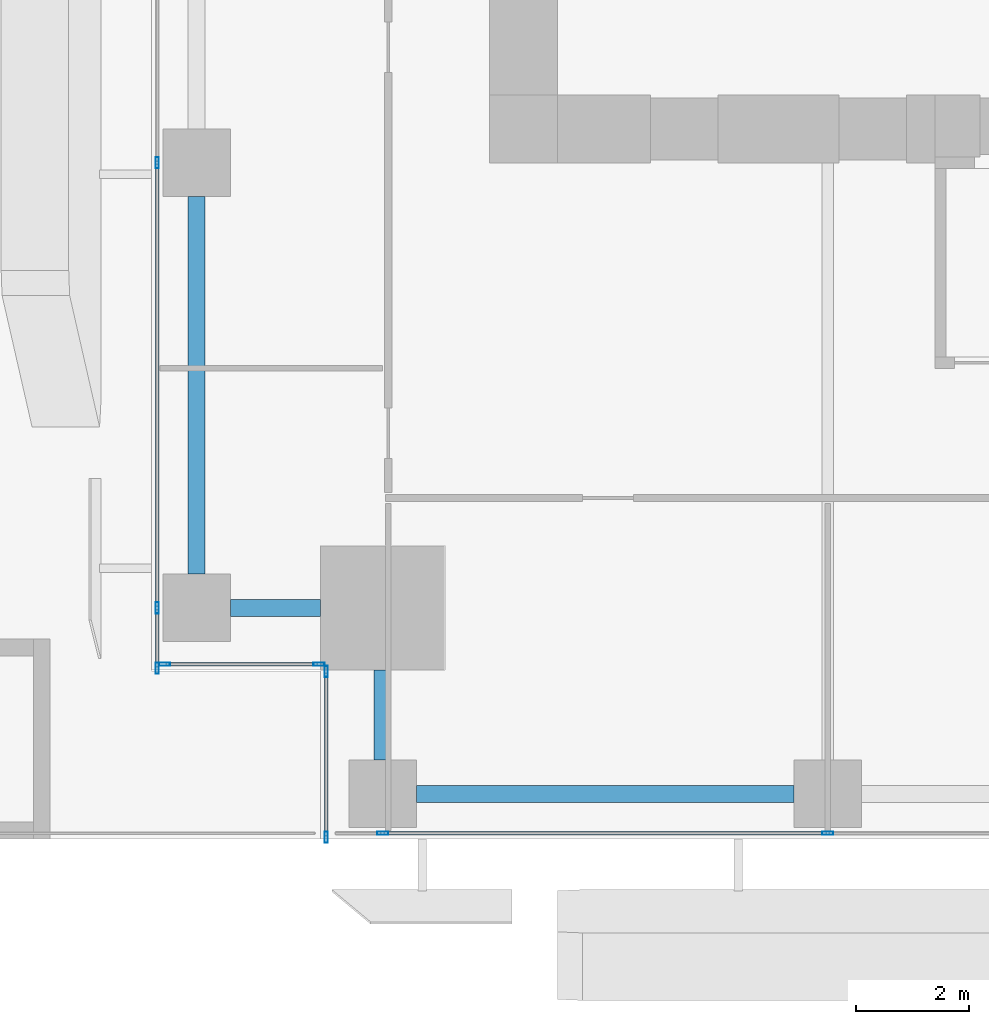
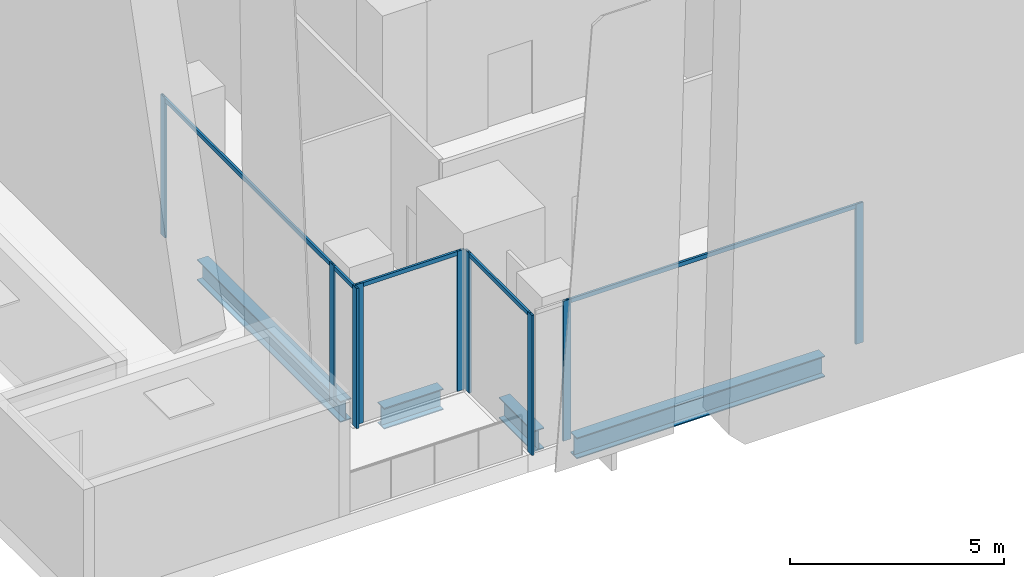
# One storey, part 2 of 46: 14 members, 4 beams, 4 elements without a shape of their own.
"""IFC4 building model written with IfcOpenShell, lengths in metres."""

from ifc_helpers import new_model, si_unit, direction, frame, origin, origin_2d, place, context, subcontext, project, spatial, hollow_rectangle, i_section, extrude, source, transform, mapped, material, material_profile, profile_set, type_object, element, aggregate, save


model = new_model("IFC4")

# Units and contexts
model_context = context("Model", 3, precision=1e-05, world=origin(), true_north=direction((0.0, 1.0)))
body_context = subcontext(model_context, "Body", "Model", "MODEL_VIEW")
ifc_project = project(units=[si_unit("LENGTHUNIT", "METRE"), si_unit("AREAUNIT", "SQUARE_METRE"), si_unit("VOLUMEUNIT", "CUBIC_METRE"), si_unit("PLANEANGLEUNIT", "RADIAN"), si_unit("MASSUNIT", "GRAM", prefix="KILO")], contexts=[model_context])

# Site, building, storey
site_placement = place(None, origin())
site = spatial("IfcSite", under=ifc_project, at=site_placement, CompositionType="ELEMENT")
building_placement = place(site_placement, origin())
building = spatial("IfcBuilding", under=site, at=building_placement, Name="Khomas Fold Tower", CompositionType="ELEMENT")
storey_placement = place(building_placement, frame((0.0, 0.0, 33.0)))
storey = spatial("IfcBuildingStorey", under=building, at=storey_placement, Name="L06", CompositionType="ELEMENT", Elevation=33.0)

# Beams
ifc_material_1 = material(Name="Steel S355", Category="steel")
ifc_material_profile_1 = material_profile(ifc_material_1, i_section(OverallWidth=0.300048828125, OverallDepth=0.60009765625, WebThickness=0.015380859375, FlangeThickness=0.030029296875, at=origin_2d()), Name="HE 600 B")
ifc_profile_set_1 = profile_set([ifc_material_profile_1], Name="Steel S355")
beam_type = type_object("IfcBeamType", Name="HE 600 B spandrel SB1", PredefinedType="SPANDREL", material=ifc_profile_set_1)
shared_shape_1 = source(origin(), body_context, "Body", "SweptSolid", [
    extrude(i_section(OverallWidth=0.300048828125, OverallDepth=0.60009765625, WebThickness=0.015380859375, FlangeThickness=0.030029296875, at=origin_2d()), origin(), (0.0, 0.0, 1.0), 6.699951171875),
])
for number, where, z_axis, x_axis, name in (
    (1, (4.699951171875, 0.800048828125, -0.800048828125), (1.0, 0.0, 0.0), (0.0, 1.0, 0.0), "SB1"),
    (2, (0.800048828125, 4.699951171875, -0.800048828125), (0.0, 1.0, 0.0), (-1.0, 0.0, 0.0), "SB1"),
):
    element("IfcBeam", number, at=place(storey_placement, frame(where, z_axis=z_axis, x_axis=x_axis)), inside=storey, type_object=beam_type, Name=name, PredefinedType="SPANDREL", context=body_context, shape_type="MappedRepresentation", body=[
        mapped(shared_shape_1, transform((0.0, 0.0, 0.0))),
    ])
shared_shape_2 = source(origin(), body_context, "Body", "SweptSolid", [
    extrude(i_section(OverallWidth=0.300048828125, OverallDepth=0.60009765625, WebThickness=0.015380859375, FlangeThickness=0.030029296875, at=origin_2d()), origin(), (0.0, 0.0, 1.0), 1.60009765625),
])
for number, where, z_axis, x_axis, name in (
    (3, (1.39990234375, 4.10009765625, -0.800048828125), (1.0, 0.0, 0.0), (0.0, 1.0, 0.0), "SB1"),
    (4, (4.10009765625, 1.39990234375, -0.800048828125), (0.0, 1.0, 0.0), (-1.0, 0.0, 0.0), "SB1"),
):
    element("IfcBeam", number, at=place(storey_placement, frame(where, z_axis=z_axis, x_axis=x_axis)), inside=storey, type_object=beam_type, Name=name, PredefinedType="SPANDREL", context=body_context, shape_type="MappedRepresentation", body=[
        mapped(shared_shape_2, transform((0.0, 0.0, 0.0))),
    ])

# Curtain wall, members
ifc_material_2 = material(Name="Aluminium framed double glazing", Category="aluminium")
curtain_wall_type = type_object("IfcCurtainWallType", Name="SK-Unitised clear-glass wall, growing floors CW1", PredefinedType="NOTDEFINED", material=ifc_material_2)
curtain_wall_1_placement = place(storey_placement, origin())
curtain_wall_1 = element("IfcCurtainWall", 5, at=curtain_wall_1_placement, inside=storey, type_object=curtain_wall_type, Name="CW1 run L06 00-0", PredefinedType="NOTDEFINED")
ifc_material_3 = material(Name="Aluminium", Category="aluminium")
ifc_material_profile_2 = material_profile(ifc_material_3, hollow_rectangle(XDim=0.06005859375, YDim=0.199951171875, WallThickness=0.00390625, at=origin_2d()), Name="SK-Unitised clear-glass wall, growing floors mullion CW1-M")
ifc_profile_set_2 = profile_set([ifc_material_profile_2], Name="Aluminium")
member_type_1 = type_object("IfcMemberType", Name="SK-Unitised clear-glass wall, growing floors mullion CW1-M", PredefinedType="MULLION", material=ifc_profile_set_2)
shared_shape_3 = source(origin(), body_context, "Body", "SweptSolid", [
    extrude(hollow_rectangle(XDim=0.06005859375, YDim=0.199951171875, WallThickness=0.00390625, at=origin_2d()), origin(), (0.0, 0.0, 1.0), 4.0),
])
member_1_placement = place(storey_placement, frame((4.10009765625, 0.10009765625, 0.0), z_axis=(0.0, 0.0, 1.0), x_axis=(0.0, 1.0, 0.0)))
member_1 = element("IfcMember", 6, at=member_1_placement, type_object=member_type_1, Name="CW1 mullion 2", PredefinedType="MULLION", context=body_context, shape_type="MappedRepresentation", body=[
    mapped(shared_shape_3, transform((0.0, 0.0, 0.0))),
])
member_2_placement = place(storey_placement, frame((12.0, 0.10009765625, 0.0), z_axis=(0.0, 0.0, 1.0), x_axis=(0.0, 1.0, 0.0)))
member_2 = element("IfcMember", 7, at=member_2_placement, type_object=member_type_1, Name="CW1 mullion 3", PredefinedType="MULLION", context=body_context, shape_type="MappedRepresentation", body=[
    mapped(shared_shape_3, transform((0.0, 0.0, 0.0))),
])

curtain_wall_2_placement = place(storey_placement, origin())
curtain_wall_2 = element("IfcCurtainWall", 8, at=curtain_wall_2_placement, inside=storey, type_object=curtain_wall_type, Name="CW1 run L06 09-0", PredefinedType="NOTDEFINED")
member_3_placement = place(storey_placement, frame((0.10009765625, 12.0, 0.0), z_axis=(0.0, 0.0, 1.0), x_axis=(1.0, 0.0, 0.0)))
member_3 = element("IfcMember", 9, at=member_3_placement, type_object=member_type_1, Name="CW1 mullion 7", PredefinedType="MULLION", context=body_context, shape_type="MappedRepresentation", body=[
    mapped(shared_shape_3, transform((0.0, 0.0, 0.0))),
])
member_4_placement = place(storey_placement, frame((0.10009765625, 4.10009765625, 0.0), z_axis=(0.0, 0.0, 1.0), x_axis=(1.0, 0.0, 0.0)))
member_4 = element("IfcMember", 10, at=member_4_placement, type_object=member_type_1, Name="CW1 mullion 8", PredefinedType="MULLION", context=body_context, shape_type="MappedRepresentation", body=[
    mapped(shared_shape_3, transform((0.0, 0.0, 0.0))),
])
member_5_placement = place(storey_placement, frame((0.10009765625, 3.030029296875, 0.0), z_axis=(0.0, 0.0, 1.0), x_axis=(1.0, 0.0, 0.0)))
member_5 = element("IfcMember", 11, at=member_5_placement, type_object=member_type_1, Name="CW1 mullion 9", PredefinedType="MULLION", context=body_context, shape_type="MappedRepresentation", body=[
    mapped(shared_shape_3, transform((0.0, 0.0, 0.0))),
])

curtain_wall_3_placement = place(storey_placement, origin())
curtain_wall_3 = element("IfcCurtainWall", 12, at=curtain_wall_3_placement, inside=storey, type_object=curtain_wall_type, Name="CW1 corner return L06 10", PredefinedType="NOTDEFINED")
member_6_placement = place(storey_placement, frame((0.22998046875, 3.10009765625, 0.0), z_axis=(0.0, 0.0, 1.0), x_axis=(0.0, 1.0, 0.0)))
member_6 = element("IfcMember", 13, at=member_6_placement, type_object=member_type_1, Name="CW1 mullion 1", PredefinedType="MULLION", context=body_context, shape_type="MappedRepresentation", body=[
    mapped(shared_shape_3, transform((0.0, 0.0, 0.0))),
])
member_7_placement = place(storey_placement, frame((2.969970703125, 3.10009765625, 0.0), z_axis=(0.0, 0.0, 1.0), x_axis=(0.0, 1.0, 0.0)))
member_7 = element("IfcMember", 14, at=member_7_placement, type_object=member_type_1, Name="CW1 mullion 2", PredefinedType="MULLION", context=body_context, shape_type="MappedRepresentation", body=[
    mapped(shared_shape_3, transform((0.0, 0.0, 0.0))),
])

curtain_wall_4_placement = place(storey_placement, origin())
curtain_wall_4 = element("IfcCurtainWall", 15, at=curtain_wall_4_placement, inside=storey, type_object=curtain_wall_type, Name="CW1 corner return L06 11", PredefinedType="NOTDEFINED")
member_8_placement = place(storey_placement, frame((3.10009765625, 2.969970703125, 0.0), z_axis=(0.0, 0.0, 1.0), x_axis=(1.0, 0.0, 0.0)))
member_8 = element("IfcMember", 16, at=member_8_placement, type_object=member_type_1, Name="CW1 mullion 1", PredefinedType="MULLION", context=body_context, shape_type="MappedRepresentation", body=[
    mapped(shared_shape_3, transform((0.0, 0.0, 0.0))),
])
member_9_placement = place(storey_placement, frame((3.10009765625, 0.030029296875, 0.0), z_axis=(0.0, 0.0, 1.0), x_axis=(1.0, 0.0, 0.0)))
member_9 = element("IfcMember", 17, at=member_9_placement, type_object=member_type_1, Name="CW1 mullion 2", PredefinedType="MULLION", context=body_context, shape_type="MappedRepresentation", body=[
    mapped(shared_shape_3, transform((0.0, 0.0, 0.0))),
])

# Member
ifc_material_4 = material(Name="Aluminium", Category="aluminium")
ifc_material_profile_3 = material_profile(ifc_material_4, hollow_rectangle(XDim=0.06005859375, YDim=0.1201171875, WallThickness=0.00390625, at=origin_2d()), Name="SK-Unitised clear-glass wall, growing floors transom CW1-T")
ifc_profile_set_3 = profile_set([ifc_material_profile_3], Name="Aluminium")
member_type_2 = type_object("IfcMemberType", Name="SK-Unitised clear-glass wall, growing floors transom CW1-T", PredefinedType="USERDEFINED", material=ifc_profile_set_3)
shared_shape_4 = source(origin(), body_context, "Body", "SweptSolid", [
    extrude(hollow_rectangle(XDim=0.06005859375, YDim=0.1201171875, WallThickness=0.00390625, at=origin_2d()), origin(), (0.0, 0.0, 1.0), 7.840087890625),
])
member_10_placement = place(storey_placement, frame((4.1298828125, 0.10009765625, 3.93994140625), z_axis=(1.0, 0.0, 0.0), x_axis=(0.0, 1.0, 0.0)))
member_10 = element("IfcMember", 18, at=member_10_placement, type_object=member_type_2, Name="CW1 transom 2", ObjectType="TRANSOM", PredefinedType="USERDEFINED", context=body_context, shape_type="MappedRepresentation", body=[
    mapped(shared_shape_4, transform((0.0, 0.0, 0.0))),
])

aggregate(curtain_wall_1, [member_1, member_2, member_10])

member_11_placement = place(storey_placement, frame((0.10009765625, 11.969970703125, 3.93994140625), z_axis=(0.0, -1.0, 0.0), x_axis=(1.0, 0.0, 0.0)))
member_11 = element("IfcMember", 19, at=member_11_placement, type_object=member_type_2, Name="CW1 transom 7", ObjectType="TRANSOM", PredefinedType="USERDEFINED", context=body_context, shape_type="MappedRepresentation", body=[
    mapped(shared_shape_4, transform((0.0, 0.0, 0.0))),
])

shared_shape_5 = source(origin(), body_context, "Body", "SweptSolid", [
    extrude(hollow_rectangle(XDim=0.06005859375, YDim=0.1201171875, WallThickness=0.00390625, at=origin_2d()), origin(), (0.0, 0.0, 1.0), 1.010009765625),
])
member_12_placement = place(storey_placement, frame((0.10009765625, 4.070068359375, 3.93994140625), z_axis=(0.0, -1.0, 0.0), x_axis=(1.0, 0.0, 0.0)))
member_12 = element("IfcMember", 20, at=member_12_placement, type_object=member_type_2, Name="CW1 transom 8", ObjectType="TRANSOM", PredefinedType="USERDEFINED", context=body_context, shape_type="MappedRepresentation", body=[
    mapped(shared_shape_5, transform((0.0, 0.0, 0.0))),
])

aggregate(curtain_wall_2, [member_3, member_4, member_5, member_11, member_12])

shared_shape_6 = source(origin(), body_context, "Body", "SweptSolid", [
    extrude(hollow_rectangle(XDim=0.06005859375, YDim=0.1201171875, WallThickness=0.00390625, at=origin_2d()), origin(), (0.0, 0.0, 1.0), 2.679931640625),
])
member_13_placement = place(storey_placement, frame((0.260009765625, 3.10009765625, 3.93994140625), z_axis=(1.0, 0.0, 0.0), x_axis=(0.0, 1.0, 0.0)))
member_13 = element("IfcMember", 21, at=member_13_placement, type_object=member_type_2, Name="CW1 transom 1", ObjectType="TRANSOM", PredefinedType="USERDEFINED", context=body_context, shape_type="MappedRepresentation", body=[
    mapped(shared_shape_6, transform((0.0, 0.0, 0.0))),
])

aggregate(curtain_wall_3, [member_6, member_7, member_13])

shared_shape_7 = source(origin(), body_context, "Body", "SweptSolid", [
    extrude(hollow_rectangle(XDim=0.06005859375, YDim=0.1201171875, WallThickness=0.00390625, at=origin_2d()), origin(), (0.0, 0.0, 1.0), 2.8798828125),
])
member_14_placement = place(storey_placement, frame((3.10009765625, 2.93994140625, 3.93994140625), z_axis=(0.0, -1.0, 0.0), x_axis=(1.0, 0.0, 0.0)))
member_14 = element("IfcMember", 22, at=member_14_placement, type_object=member_type_2, Name="CW1 transom 1", ObjectType="TRANSOM", PredefinedType="USERDEFINED", context=body_context, shape_type="MappedRepresentation", body=[
    mapped(shared_shape_7, transform((0.0, 0.0, 0.0))),
])

aggregate(curtain_wall_4, [member_8, member_9, member_14])

save(model, "model.ifc")
